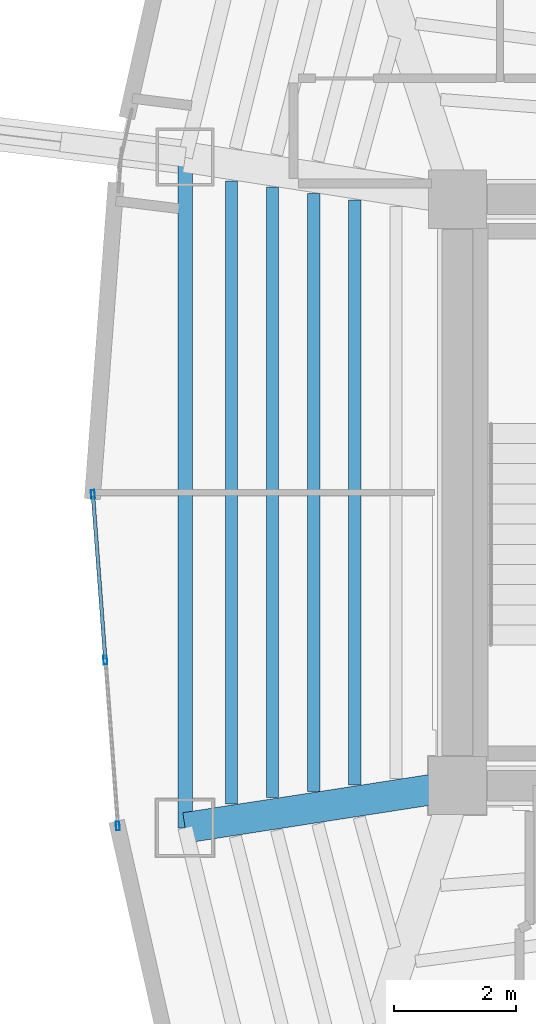
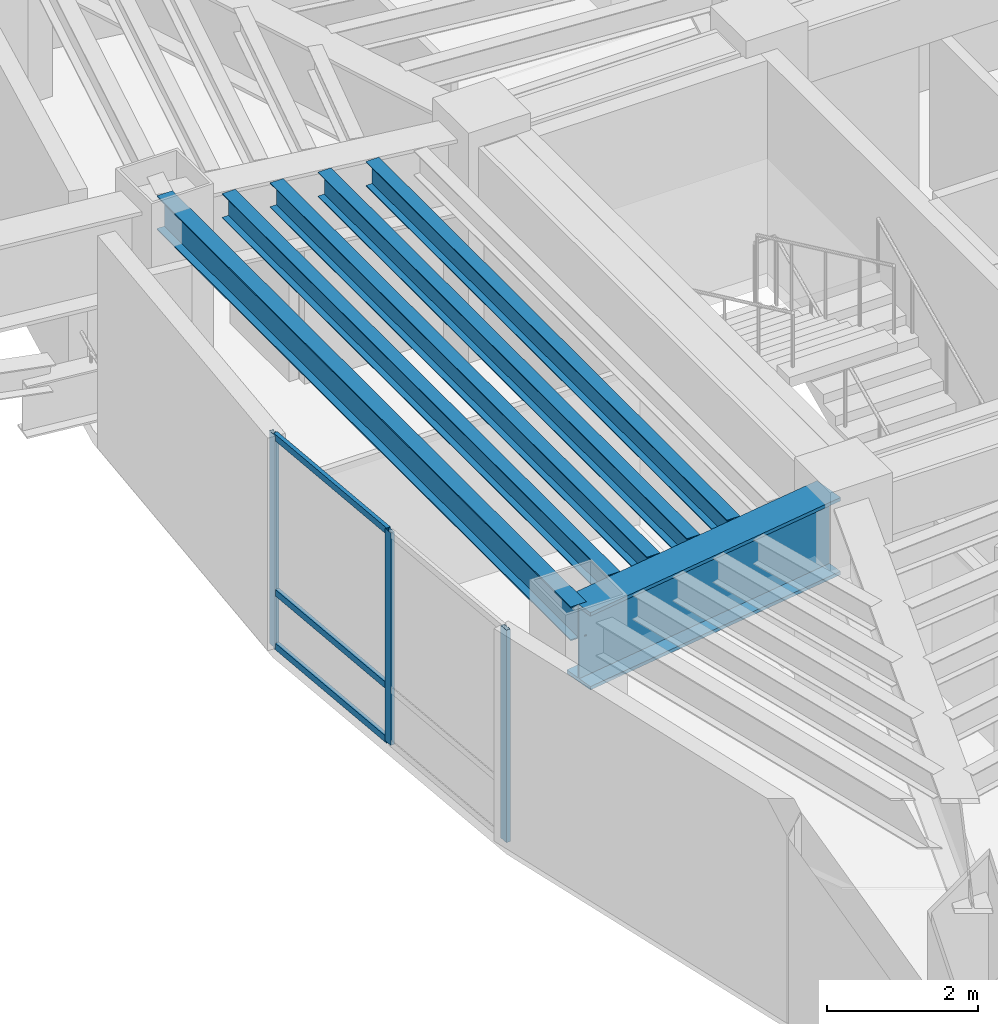
# One storey, part 2 of 14: 6 beams, 6 members, 1 element without a shape of its own.
"""IFC4 building model written with IfcOpenShell, lengths in metres."""

from ifc_helpers import new_model, si_unit, direction, frame, origin, origin_2d, place, context, subcontext, project, spatial, hollow_rectangle, i_section, extrude, material, layer, layer_set, material_profile, profile_set, type_object, element, aggregate, save


model = new_model("IFC4")

# Units and contexts
model_context = context("Model", 3, precision=1e-05, world=origin(), true_north=direction((0.0, 1.0)))
body_context = subcontext(model_context, "Body", "Model", "MODEL_VIEW")
ifc_project = project(units=[si_unit("LENGTHUNIT", "METRE"), si_unit("AREAUNIT", "SQUARE_METRE"), si_unit("VOLUMEUNIT", "CUBIC_METRE"), si_unit("PLANEANGLEUNIT", "RADIAN"), si_unit("MASSUNIT", "GRAM", prefix="KILO")], contexts=[model_context])

# Site, building, storey
site_placement = place(None, origin())
site = spatial("IfcSite", under=ifc_project, at=site_placement, CompositionType="ELEMENT")
building_placement = place(site_placement, origin())
building = spatial("IfcBuilding", under=site, at=building_placement, Name="Menara Vayukalpa", CompositionType="ELEMENT")
storey_placement = place(building_placement, frame((0.0, 0.0, 191.52001953125)))
storey = spatial("IfcBuildingStorey", under=building, at=storey_placement, Name="L48", CompositionType="ELEMENT", Elevation=191.52001953125)

# Beams
ifc_material_1 = material(Name="Steel S355", Category="steel")
ifc_material_profile_1 = material_profile(ifc_material_1, i_section(OverallWidth=0.199951171875, OverallDepth=0.39990234375, WebThickness=0.008056640625, FlangeThickness=0.012939453125, at=origin_2d()), Name="WF 400x200x8x13")
ifc_profile_set_1 = profile_set([ifc_material_profile_1], Name="Steel S355")
beam_type_1 = type_object("IfcBeamType", Name="BM-SJ2", PredefinedType="JOIST", material=ifc_profile_set_1)
beam_1_placement = place(storey_placement, frame((16.121826171875, 26.78955078125, 3.239990234375), z_axis=(0.0, -1.0, 0.0), x_axis=(1.0, 0.0, 0.0)))
element("IfcBeam", 1, at=beam_1_placement, inside=storey, type_object=beam_type_1, Name="L48 Secondary Floor Joist SJ05-2", PredefinedType="JOIST", context=body_context, shape_type="SweptSolid", body=[
    extrude(i_section(OverallWidth=0.199951171875, OverallDepth=0.39990234375, WebThickness=0.008056640625, FlangeThickness=0.012939453125, at=origin_2d()), origin(), (0.0, 0.0, 1.0), 9.5791015625),
])
beam_2_placement = place(storey_placement, frame((15.448486328125, 26.893798828125, 3.239990234375), z_axis=(0.0, -1.0, 0.0), x_axis=(1.0, 0.0, 0.0)))
element("IfcBeam", 2, at=beam_2_placement, inside=storey, type_object=beam_type_1, Name="L48 Secondary Floor Joist SJ05-3", PredefinedType="JOIST", context=body_context, shape_type="SweptSolid", body=[
    extrude(i_section(OverallWidth=0.199951171875, OverallDepth=0.39990234375, WebThickness=0.008056640625, FlangeThickness=0.012939453125, at=origin_2d()), origin(), (0.0, 0.0, 1.0), 9.78759765625),
])
beam_3_placement = place(storey_placement, frame((14.77490234375, 26.997802734375, 3.239990234375), z_axis=(0.0, -1.0, 0.0), x_axis=(1.0, 0.0, 0.0)))
element("IfcBeam", 3, at=beam_3_placement, inside=storey, type_object=beam_type_1, Name="L48 Secondary Floor Joist SJ05-4", PredefinedType="JOIST", context=body_context, shape_type="SweptSolid", body=[
    extrude(i_section(OverallWidth=0.199951171875, OverallDepth=0.39990234375, WebThickness=0.008056640625, FlangeThickness=0.012939453125, at=origin_2d()), origin(), (0.0, 0.0, 1.0), 9.99560546875),
])
beam_4_placement = place(storey_placement, frame((14.1015625, 27.10205078125, 3.239990234375), z_axis=(0.0, -1.0, 0.0), x_axis=(1.0, 0.0, 0.0)))
element("IfcBeam", 4, at=beam_4_placement, inside=storey, type_object=beam_type_1, Name="L48 Secondary Floor Joist SJ05-5", PredefinedType="JOIST", context=body_context, shape_type="SweptSolid", body=[
    extrude(i_section(OverallWidth=0.199951171875, OverallDepth=0.39990234375, WebThickness=0.008056640625, FlangeThickness=0.012939453125, at=origin_2d()), origin(), (0.0, 0.0, 1.0), 10.2041015625),
])
ifc_material_2 = material(Name="Steel S355", Category="steel")
ifc_material_profile_2 = material_profile(ifc_material_2, i_section(OverallWidth=0.239990234375, OverallDepth=0.550048828125, WebThickness=0.010986328125, FlangeThickness=0.01904296875, at=origin_2d()), Name="WF 550x240x11x19")
ifc_profile_set_2 = profile_set([ifc_material_profile_2], Name="Steel S355")
beam_type_2 = type_object("IfcBeamType", Name="BM-SP2", PredefinedType="SPANDREL", material=ifc_profile_set_2)
beam_5_placement = place(storey_placement, frame((13.343994140625, 27.4892578125, 3.1650390625), z_axis=(0.0, -1.0, 0.0), x_axis=(1.0, 0.0, 0.0)))
element("IfcBeam", 5, at=beam_5_placement, inside=storey, type_object=beam_type_2, Name="L48 Perimeter Spandrel Beam SP05", PredefinedType="SPANDREL", context=body_context, shape_type="SweptSolid", body=[
    extrude(i_section(OverallWidth=0.239990234375, OverallDepth=0.550048828125, WebThickness=0.010986328125, FlangeThickness=0.01904296875, at=origin_2d()), origin(), (0.0, 0.0, 1.0), 10.978515625),
])
ifc_material_3 = material(Name="Steel S460", Category="steel")
ifc_material_profile_3 = material_profile(ifc_material_3, i_section(OverallWidth=0.5, OverallDepth=1.25, WebThickness=0.028076171875, FlangeThickness=0.054931640625, at=origin_2d()), Name="WG 1250x500x28x55")
ifc_profile_set_3 = profile_set([ifc_material_profile_3], Name="Steel S460")
beam_type_3 = type_object("IfcBeamType", Name="BM-TG2", PredefinedType="BEAM", material=ifc_profile_set_3)
beam_6_placement = place(storey_placement, frame((17.552978515625, 17.161865234375, 2.81494140625), z_axis=(-0.988244781219, -0.152879862617, 0.0), x_axis=(0.152879862617, -0.988244781219, 0.0)))
element("IfcBeam", 6, at=beam_6_placement, inside=storey, type_object=beam_type_3, Name="L48 Primary Radial Girder RG06", PredefinedType="BEAM", context=body_context, shape_type="SweptSolid", body=[
    extrude(i_section(OverallWidth=0.5, OverallDepth=1.25, WebThickness=0.028076171875, FlangeThickness=0.054931640625, at=origin_2d()), origin(), (0.0, 0.0, 1.0), 4.259033203125),
])

# Curtain wall, members
ifc_material_4 = material(Name="Anodised Terracotta Aluminium Alloy 6063-T6", Category="masonry")
ifc_layer = layer(ifc_material_4, 0.139892578125)
ifc_layer_set = layer_set([ifc_layer], Name="Anodised Terracotta Aluminium Alloy 6063-T6")
curtain_wall_type = type_object("IfcCurtainWallType", Name="CW-CW5", PredefinedType="USERDEFINED", material=ifc_layer_set)
curtain_wall_placement = place(storey_placement, origin())
curtain_wall = element("IfcCurtainWall", 7, at=curtain_wall_placement, inside=storey, type_object=curtain_wall_type, Name="L48 High Rise Tapered Curtain Wall CW5 11", ObjectType="UNITISED", PredefinedType="USERDEFINED")
ifc_material_5 = material(Name="Anodised Terracotta Aluminium Alloy 6063-T6", Category="masonry")
ifc_material_profile_4 = material_profile(ifc_material_5, hollow_rectangle(XDim=0.06005859375, YDim=0.139892578125, WallThickness=0.00341796875, at=origin_2d()), Name="ALU 60x140x3.5")
ifc_profile_set_4 = profile_set([ifc_material_profile_4], Name="Anodised Terracotta Aluminium Alloy 6063-T6")
member_type_1 = type_object("IfcMemberType", Name="CWM-CW5", PredefinedType="MULLION", material=ifc_profile_set_4)
member_1_placement = place(storey_placement, frame((11.83447265625, 21.969970703125, 0.0), z_axis=(0.0, 0.0, 1.0), x_axis=(0.9971991744, 0.074791754736, 0.0)))
member_1 = element("IfcMember", 8, at=member_1_placement, type_object=member_type_1, Name="CW5 mullion 1", PredefinedType="MULLION", context=body_context, shape_type="SweptSolid", body=[
    extrude(hollow_rectangle(XDim=0.06005859375, YDim=0.139892578125, WallThickness=0.00341796875, at=origin_2d()), origin(), (0.0, 0.0, 1.0), 3.43994140625),
])
member_2_placement = place(storey_placement, frame((12.0380859375, 19.25537109375, 0.0), z_axis=(0.0, 0.0, 1.0), x_axis=(0.9971991744, 0.074791754736, 0.0)))
member_2 = element("IfcMember", 9, at=member_2_placement, type_object=member_type_1, Name="CW5 mullion 2", PredefinedType="MULLION", context=body_context, shape_type="SweptSolid", body=[
    extrude(hollow_rectangle(XDim=0.06005859375, YDim=0.139892578125, WallThickness=0.00341796875, at=origin_2d()), origin(), (0.0, 0.0, 1.0), 3.43994140625),
])
member_3_placement = place(storey_placement, frame((12.24169921875, 16.540771484375, 0.0), z_axis=(0.0, 0.0, 1.0), x_axis=(0.9971991744, 0.074791754736, 0.0)))
member_3 = element("IfcMember", 10, at=member_3_placement, type_object=member_type_1, Name="CW5 mullion 3", PredefinedType="MULLION", context=body_context, shape_type="SweptSolid", body=[
    extrude(hollow_rectangle(XDim=0.06005859375, YDim=0.139892578125, WallThickness=0.00341796875, at=origin_2d()), origin(), (0.0, 0.0, 1.0), 3.43994140625),
])
ifc_material_6 = material(Name="Anodised Terracotta Aluminium Alloy 6063-T6", Category="masonry")
ifc_material_profile_5 = material_profile(ifc_material_6, hollow_rectangle(XDim=0.06005859375, YDim=0.10498046875, WallThickness=0.0029296875, at=origin_2d()), Name="ALU 60x105x3")
ifc_profile_set_5 = profile_set([ifc_material_profile_5], Name="Anodised Terracotta Aluminium Alloy 6063-T6")
member_type_2 = type_object("IfcMemberType", Name="CWT-CW5", PredefinedType="USERDEFINED", material=ifc_profile_set_5)
member_4_placement = place(storey_placement, frame((11.836669921875, 21.940185546875, 0.030029296875), z_axis=(0.074830984436, -0.997196231325, 0.0), x_axis=(0.997196231325, 0.074830984436, 0.0)))
member_4 = element("IfcMember", 11, at=member_4_placement, type_object=member_type_2, Name="CW5 transom 1.1", ObjectType="TRANSOM", PredefinedType="USERDEFINED", context=body_context, shape_type="SweptSolid", body=[
    extrude(hollow_rectangle(XDim=0.06005859375, YDim=0.10498046875, WallThickness=0.0029296875, at=origin_2d()), origin(), (0.0, 0.0, 1.0), 2.662353515625),
])
member_5_placement = place(storey_placement, frame((11.836669921875, 21.940185546875, 0.89990234375), z_axis=(0.074830984436, -0.997196231325, 0.0), x_axis=(0.997196231325, 0.074830984436, 0.0)))
member_5 = element("IfcMember", 12, at=member_5_placement, type_object=member_type_2, Name="CW5 transom 1.2", ObjectType="TRANSOM", PredefinedType="USERDEFINED", context=body_context, shape_type="SweptSolid", body=[
    extrude(hollow_rectangle(XDim=0.06005859375, YDim=0.10498046875, WallThickness=0.0029296875, at=origin_2d()), origin(), (0.0, 0.0, 1.0), 2.662353515625),
])
member_6_placement = place(storey_placement, frame((11.836669921875, 21.940185546875, 3.409912109375), z_axis=(0.074830984436, -0.997196231325, 0.0), x_axis=(0.997196231325, 0.074830984436, 0.0)))
member_6 = element("IfcMember", 13, at=member_6_placement, type_object=member_type_2, Name="CW5 transom 1.3", ObjectType="TRANSOM", PredefinedType="USERDEFINED", context=body_context, shape_type="SweptSolid", body=[
    extrude(hollow_rectangle(XDim=0.06005859375, YDim=0.10498046875, WallThickness=0.0029296875, at=origin_2d()), origin(), (0.0, 0.0, 1.0), 2.662353515625),
])
aggregate(curtain_wall, [member_1, member_2, member_3, member_4, member_5, member_6])

save(model, "model.ifc")
